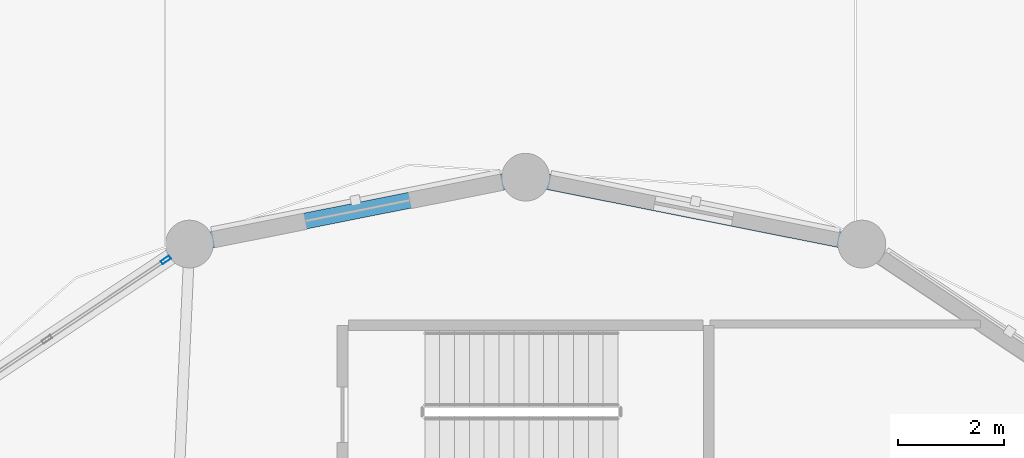
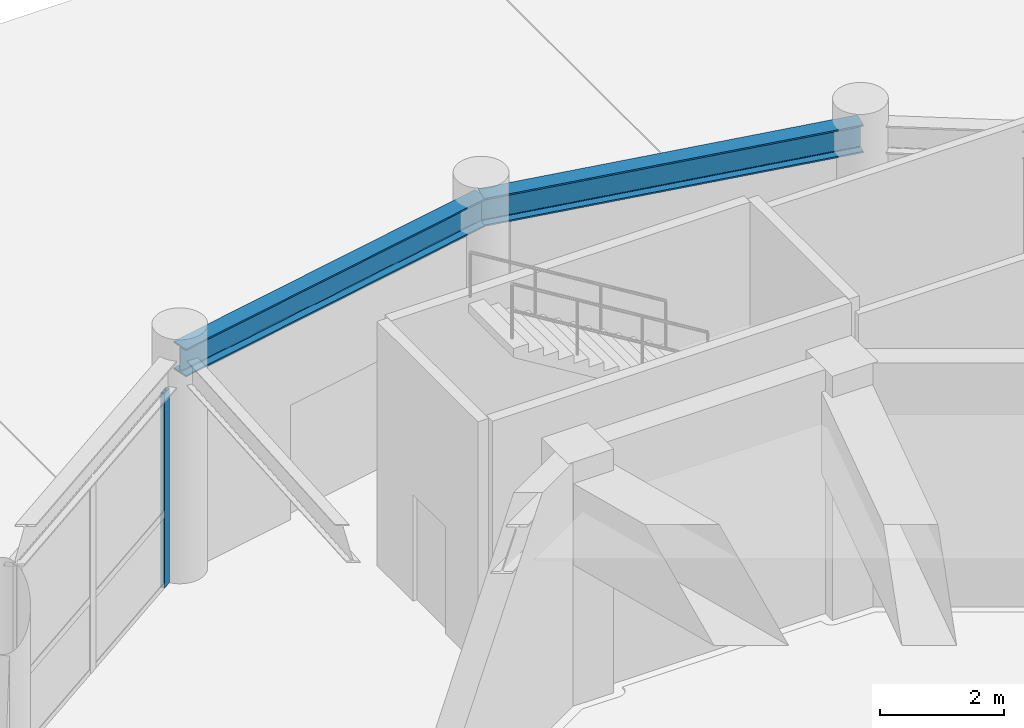
# One storey, part 20 of 40: 2 beams, 1 member, 1 element without a shape of its own.
"""IFC4 building model written with IfcOpenShell, lengths in metres."""

from ifc_helpers import new_model, si_unit, derived_unit, direction, frame, origin, origin_2d, place, context, subcontext, project, spatial, hollow_rectangle, i_section, extrude, source, transform, mapped, material, layer, layer_set, material_profile, profile_set, type_object, element, aggregate, save


model = new_model("IFC4")

# Units and contexts
model_context = context("Model", 3, precision=1e-05, world=origin(), true_north=direction((0.0, 1.0)))
body_context = subcontext(model_context, "Body", "Model", "MODEL_VIEW")
ifc_project = project(units=[si_unit("LENGTHUNIT", "METRE"), si_unit("AREAUNIT", "SQUARE_METRE"), si_unit("VOLUMEUNIT", "CUBIC_METRE"), si_unit("PLANEANGLEUNIT", "RADIAN"), si_unit("MASSUNIT", "GRAM", prefix="KILO"), derived_unit("THERMALTRANSMITTANCEUNIT", [(si_unit("POWERUNIT", "WATT"), 1), (si_unit("LENGTHUNIT", "METRE"), -2), (si_unit("THERMODYNAMICTEMPERATUREUNIT", "KELVIN"), -1)])], contexts=[model_context])

# Site, building, storey
site_placement = place(None, origin())
site = spatial("IfcSite", under=ifc_project, at=site_placement, CompositionType="ELEMENT")
building_placement = place(site_placement, origin())
building = spatial("IfcBuilding", under=site, at=building_placement, Name="Korsvarv Bourse and Concert Hall", CompositionType="ELEMENT")
storey_placement = place(building_placement, origin())
storey = spatial("IfcBuildingStorey", under=building, at=storey_placement, Name="L00", CompositionType="ELEMENT", Elevation=0.0)

# Beams
ifc_material_1 = material(Name="Steel S355", Category="steel")
ifc_material_profile_1 = material_profile(ifc_material_1, i_section(OverallWidth=0.300048828125, OverallDepth=0.550048828125, WebThickness=0.014892578125, FlangeThickness=0.029052734375, FilletRadius=0.02392578125, at=origin_2d()), Name="HEB 550")
ifc_profile_set_1 = profile_set([ifc_material_profile_1], Name="Steel S355")
beam_type = type_object("IfcBeamType", Name="BM-HEB550", PredefinedType="BEAM", material=ifc_profile_set_1)
shared_shape_1 = source(origin(), body_context, "Body", "SweptSolid", [
    extrude(i_section(OverallWidth=0.300048828125, OverallDepth=0.550048828125, WebThickness=0.014892578125, FlangeThickness=0.029052734375, FilletRadius=0.02392578125, at=origin_2d()), origin(), (0.0, 0.0, 1.0), 6.45751953125),
])
beam_1_placement = place(storey_placement, frame((106.800048828125, 52.550048828125, 4.10498046875), z_axis=(-0.980786616034, -0.195083607229, 0.0), x_axis=(0.195083607229, -0.980786616034, 0.0)))
element("IfcBeam", 1, at=beam_1_placement, inside=storey, type_object=beam_type, Name="L00 beam B-06", PredefinedType="BEAM", context=body_context, shape_type="MappedRepresentation", body=[
    mapped(shared_shape_1, transform((0.0, 0.0, 0.0), scale=1.0)),
])
shared_shape_2 = source(origin(), body_context, "Body", "SweptSolid", [
    extrude(i_section(OverallWidth=0.300048828125, OverallDepth=0.550048828125, WebThickness=0.014892578125, FlangeThickness=0.029052734375, FilletRadius=0.02392578125, at=origin_2d()), origin(), (0.0, 0.0, 1.0), 6.457275390625),
])
beam_2_placement = place(storey_placement, frame((113.13330078125, 51.290283203125, 4.10498046875), z_axis=(-0.980785177113, 0.19509084129, 0.0), x_axis=(-0.19509084129, -0.980785177113, 0.0)))
element("IfcBeam", 2, at=beam_2_placement, inside=storey, type_object=beam_type, Name="L00 beam B-06", PredefinedType="BEAM", context=body_context, shape_type="MappedRepresentation", body=[
    mapped(shared_shape_2, transform((0.0, 0.0, 0.0), scale=1.0)),
])

# Curtain wall, member
ifc_material_2 = material(Name="Anodised aluminium and triple low-E glazing", Category="glass")
ifc_layer = layer(ifc_material_2, 0.22998046875)
ifc_layer_set = layer_set([ifc_layer], Name="Anodised aluminium and triple low-E glazing")
curtain_wall_type = type_object("IfcCurtainWallType", Name="CW-SYS-6", PredefinedType="NOTDEFINED", material=ifc_layer_set)
curtain_wall_placement = place(storey_placement, origin())
curtain_wall = element("IfcCurtainWall", 3, at=curtain_wall_placement, inside=storey, type_object=curtain_wall_type, Name="L00 CW6 curtain wall CW-L00-CH06", PredefinedType="NOTDEFINED")
ifc_material_3 = material(Name="Extruded aluminium EN AW-6063 T66", Category="aluminium")
ifc_material_profile_2 = material_profile(ifc_material_3, hollow_rectangle(XDim=0.070068359375, YDim=0.18994140625, WallThickness=0.0048828125, at=origin_2d()), Name="ALU-M 70x190")
ifc_profile_set_2 = profile_set([ifc_material_profile_2], Name="Extruded aluminium EN AW-6063 T66")
member_type = type_object("IfcMemberType", Name="CWM-190", PredefinedType="MULLION", material=ifc_profile_set_2)
shared_shape_3 = source(origin(), body_context, "Body", "SweptSolid", [
    extrude(hollow_rectangle(XDim=0.070068359375, YDim=0.18994140625, WallThickness=0.0048828125, at=origin_2d()), origin(), (0.0, 0.0, 1.0), 3.830078125),
])
member_placement = place(storey_placement, frame((100.021484375, 50.992919921875, 0.0), z_axis=(0.0, 0.0, 1.0), x_axis=(0.555571024599, -0.831469083386, 0.0)))
member = element("IfcMember", 4, at=member_placement, type_object=member_type, Name="CW6 mullion 1", PredefinedType="MULLION", context=body_context, shape_type="MappedRepresentation", body=[
    mapped(shared_shape_3, transform((0.0, 0.0, 0.0), scale=1.0)),
])
aggregate(curtain_wall, [member])

save(model, "model.ifc")
